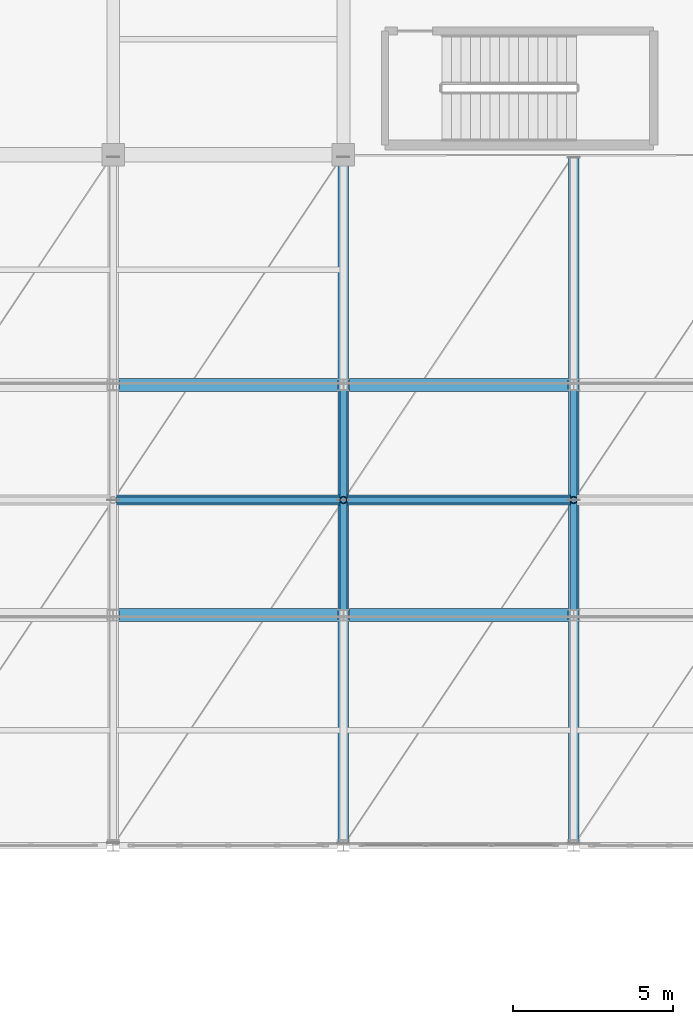
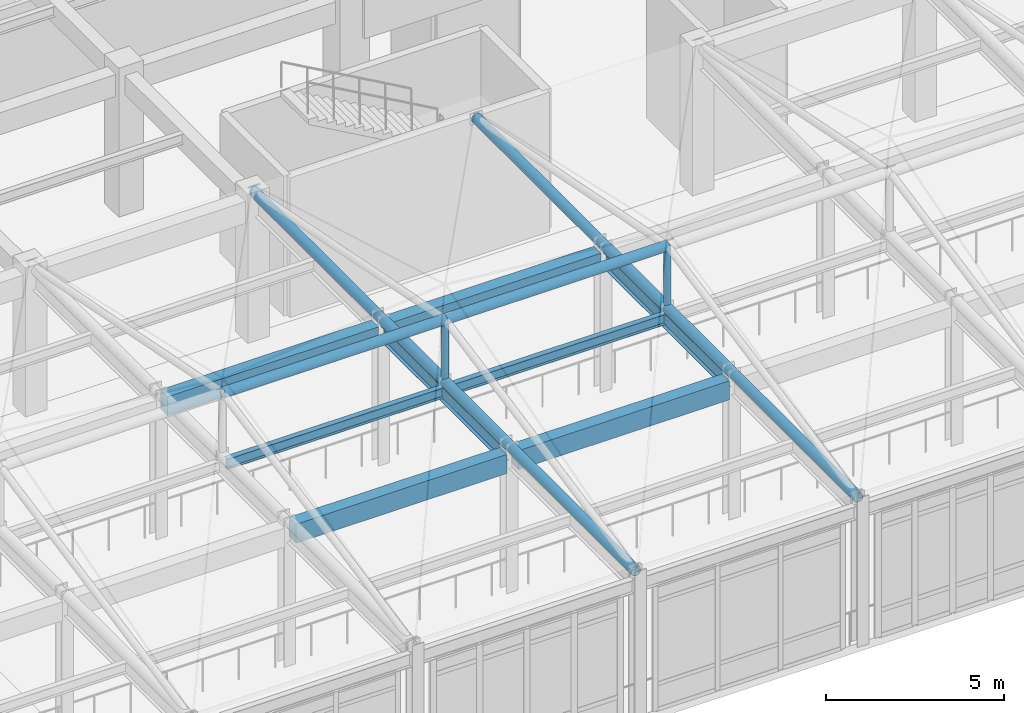
# One storey, part 40 of 117: 8 beams, 6 members.
"""IFC4 building model written with IfcOpenShell, lengths in metres."""

import ifcopenshell
import ifcopenshell.guid

model = None  # the IFC model being written
_history = None  # IfcOwnerHistory: only IFC2X3 demands one
_inside = {}  # id of a spatial element -> (the spatial element, [elements in it])
_under = {}  # id of a project, library or spatial element -> (it, [spatial elements below it])
_declared = {}  # id of a project -> (the project, [libraries it declares])
_typed = {}  # id of a type object -> (the type object, [elements of that type])
_made_of = {}  # id of a material, layer set ... -> (it, [elements and type objects made of it])


def new_model(schema):
    """Start an empty IFC model of exactly this schema.

    Asked for "IFC4X3", IfcOpenShell would pick the latest addendum, in which some entities
    have other attributes; the version numbers below select the first issue.
    IFC2X3 requires an IfcOwnerHistory on every rooted entity: one is made here for all.
    """
    global model, _history
    if schema == "IFC4X3":
        model = ifcopenshell.file(schema_version=(4, 3, 0, 0))
    else:
        model = ifcopenshell.file(schema=schema)
    _inside.clear()
    _under.clear()
    _declared.clear()
    _typed.clear()
    _made_of.clear()
    _history = None
    if model.schema == "IFC2X3":
        org = make("IfcOrganization", Name="unknown")
        user = make(
            "IfcPersonAndOrganization",
            ThePerson=make("IfcPerson", FamilyName="unknown"),
            TheOrganization=org,
        )
        app = make(
            "IfcApplication",
            ApplicationDeveloper=org,
            Version="unknown",
            ApplicationFullName="unknown",
            ApplicationIdentifier="unknown",
        )
        _history = make(
            "IfcOwnerHistory",
            OwningUser=user,
            OwningApplication=app,
            ChangeAction="ADDED",
            CreationDate=0,
        )
    return model


def make(cls, **values):
    """One entity of the class cls with the attributes given. An attribute that is None is left unset."""
    return model.create_entity(
        cls, **{name: value for name, value in values.items() if value is not None}
    )


def rooted(cls, **values):
    """An entity with a GlobalId (a new one), such as an element, a storey or a relation."""
    return make(cls, GlobalId=ifcopenshell.guid.new(), OwnerHistory=_history, **values)


def si_unit(unit_type, name, prefix=None):
    """IfcSIUnit, for example si_unit("LENGTHUNIT", "METRE", prefix="MILLI")."""
    return make("IfcSIUnit", UnitType=unit_type, Prefix=prefix, Name=name)


def assignment(units):
    """IfcUnitAssignment: the units of a project."""
    return None if units is None else make("IfcUnitAssignment", Units=units)


def point(xyz):
    """IfcCartesianPoint."""
    return None if xyz is None else make("IfcCartesianPoint", Coordinates=xyz)


def direction(xyz):
    """IfcDirection."""
    return None if xyz is None else make("IfcDirection", DirectionRatios=xyz)


def frame(location, z_axis=None, x_axis=None):
    """IfcAxis2Placement3D, a coordinate frame: its origin and axes. An axis left out is left unset."""
    return make(
        "IfcAxis2Placement3D",
        Location=point(location),
        Axis=direction(z_axis),
        RefDirection=direction(x_axis),
    )


def frame_2d(location, x_axis=None):
    """IfcAxis2Placement2D, a coordinate frame in the plane: its origin and x axis."""
    return make(
        "IfcAxis2Placement2D", Location=point(location), RefDirection=direction(x_axis)
    )


def origin():
    """The frame at (0, 0, 0) with its axes left unset."""
    return frame((0.0, 0.0, 0.0))


def origin_2d():
    """The frame at (0, 0) in the plane with its x axis left unset."""
    return frame_2d((0.0, 0.0))


def place(relative_to, where):
    """IfcLocalPlacement: puts the frame where relative to a parent placement (None: the world)."""
    return make(
        "IfcLocalPlacement", PlacementRelTo=relative_to, RelativePlacement=where
    )


def context(
    kind, dimensions, precision=None, world=None, true_north=None, identifier=None
):
    """IfcGeometricRepresentationContext, for example the 3D "Model" context."""
    return make(
        "IfcGeometricRepresentationContext",
        ContextIdentifier=identifier,
        ContextType=kind,
        CoordinateSpaceDimension=dimensions,
        Precision=precision,
        WorldCoordinateSystem=world,
        TrueNorth=true_north,
    )


def subcontext(parent, identifier, kind, view, scale=None):
    """IfcGeometricRepresentationSubContext, for example "Body" below "Model"."""
    return make(
        "IfcGeometricRepresentationSubContext",
        ContextIdentifier=identifier,
        ContextType=kind,
        ParentContext=parent,
        TargetScale=scale,
        TargetView=view,
    )


def project(units=None, contexts=None):
    """IfcProject with its units and contexts."""
    return rooted(
        "IfcProject",
        Name="project",
        RepresentationContexts=contexts,
        UnitsInContext=assignment(units),
    )


def spatial(cls, under=None, at=None, **own):
    """A site, building, storey or space (cls), placed at a placement, below another one or the project."""
    s = rooted(cls, ObjectPlacement=at, **own)
    if under is not None:
        _under.setdefault(under.id(), (under, []))[1].append(s)
    return s


def profile(cls, at=None, kind="AREA", **sizes):
    """A parametric profile (cls). Its sizes go by their IFC names, for example OverallWidth=200.0."""
    return make(cls, ProfileType=kind, Position=at, **sizes)


def rectangle(**sizes):
    """IfcRectangleProfileDef."""
    return profile("IfcRectangleProfileDef", **sizes)


def hollow_circle(**sizes):
    """IfcCircleHollowProfileDef."""
    return profile("IfcCircleHollowProfileDef", **sizes)


def i_section(**sizes):
    """IfcIShapeProfileDef."""
    return profile("IfcIShapeProfileDef", **sizes)


def extrude(swept, where, along, depth):
    """IfcExtrudedAreaSolid: the profile swept, set in the frame where, extruded along a direction by depth."""
    return make(
        "IfcExtrudedAreaSolid",
        SweptArea=swept,
        Position=where,
        ExtrudedDirection=direction(along),
        Depth=depth,
    )


def shape(context_of_items, identifier, shape_type, items):
    """IfcShapeRepresentation: the items that make up one representation, for example the "Body"."""
    return make(
        "IfcShapeRepresentation",
        ContextOfItems=context_of_items,
        RepresentationIdentifier=identifier,
        RepresentationType=shape_type,
        Items=items,
    )


def material(Name=None, Category=None):
    """IfcMaterial."""
    return make("IfcMaterial", Name=Name, Category=Category)


def material_profile(
    of_material, cross_section, Name=None, Category=None, Priority=None
):
    """IfcMaterialProfile: a cross section and its material."""
    return make(
        "IfcMaterialProfile",
        Name=Name,
        Material=of_material,
        Profile=cross_section,
        Priority=Priority,
        Category=Category,
    )


def profile_set(profiles, Name=None, composite=None):
    """IfcMaterialProfileSet."""
    return make(
        "IfcMaterialProfileSet",
        Name=Name,
        MaterialProfiles=profiles,
        CompositeProfile=composite,
    )


def made_of(thing, what):
    """Note that an element or type object is made of a material, layer set ...; save() writes the relation."""
    if what is not None:
        _made_of.setdefault(what.id(), (what, []))[1].append(thing)
    return thing


def type_object(cls, material=None, **own):
    """A type object (cls), such as IfcWallType, which elements share."""
    return made_of(rooted(cls, **own), material)


def element(
    cls,
    number,
    at=None,
    inside=None,
    cuts=None,
    type_object=None,
    material=None,
    context=None,
    identifier="Body",
    shape_type=None,
    held_by="IfcProductDefinitionShape",
    body=None,
    shapes=None,
    **own,
):
    """One element of the class cls, such as IfcWall. Its Tag is "e" and its number.

    at: its placement. inside: the storey or other place that contains it. cuts: it is an
    opening in that element (IfcRelVoidsElement). A single representation is given by context,
    identifier, shape_type and body (its items); several are given by shapes. held_by: the class
    of the entity that holds the representations. save() writes the other relations.
    """
    e = rooted(cls, Tag="e%d" % number, ObjectPlacement=at, **own)
    if body is not None:
        shapes = [shape(context, identifier, shape_type, body)]
    if shapes is not None:
        e.Representation = make(held_by, Representations=shapes)
    if inside is not None:
        _inside.setdefault(inside.id(), (inside, []))[1].append(e)
    if cuts is not None:
        rooted(
            "IfcRelVoidsElement", RelatingBuildingElement=cuts, RelatedOpeningElement=e
        )
    if type_object is not None:
        _typed.setdefault(type_object.id(), (type_object, []))[1].append(e)
    return made_of(e, material)


def aggregate(whole, parts):
    """IfcRelAggregates: a whole, such as a stair, and the parts it consists of."""
    return rooted("IfcRelAggregates", RelatingObject=whole, RelatedObjects=parts)


def save(model, path):
    """Write the relations noted so far, then the file.

    IfcRelAggregates (storeys below a building ...), IfcRelContainedInSpatialStructure (elements
    in a storey), IfcRelDefinesByType, IfcRelAssociatesMaterial and IfcRelDeclares: one each for
    every whole, place, type object, material and project.
    """
    for whole, parts in _under.values():
        aggregate(whole, parts)
    for where, things in _inside.values():
        rooted(
            "IfcRelContainedInSpatialStructure",
            RelatedElements=things,
            RelatingStructure=where,
        )
    for kind, things in _typed.values():
        rooted("IfcRelDefinesByType", RelatedObjects=things, RelatingType=kind)
    for what, things in _made_of.values():
        rooted("IfcRelAssociatesMaterial", RelatedObjects=things, RelatingMaterial=what)
    for by, libraries in _declared.values():
        rooted("IfcRelDeclares", RelatingContext=by, RelatedDefinitions=libraries)
    model.write(path)


model = new_model("IFC4")

# Units and contexts
model_context = context("Model", 3, precision=1e-05, world=origin(), true_north=direction((0.0, 1.0)))
body_context = subcontext(model_context, "Body", "Model", "MODEL_VIEW")
ifc_project = project(units=[si_unit("LENGTHUNIT", "METRE"), si_unit("AREAUNIT", "SQUARE_METRE"), si_unit("VOLUMEUNIT", "CUBIC_METRE"), si_unit("PLANEANGLEUNIT", "RADIAN"), si_unit("MASSUNIT", "GRAM", prefix="KILO")], contexts=[model_context])

# Site, building, storey
site_placement = place(None, origin())
site = spatial("IfcSite", under=ifc_project, at=site_placement, CompositionType="ELEMENT")
building_placement = place(site_placement, origin())
building = spatial("IfcBuilding", under=site, at=building_placement, Name="Carrowvane Square Congress Hotel", CompositionType="ELEMENT")
storey_placement = place(building_placement, frame((0.0, 0.0, 5.39990234375)))
storey = spatial("IfcBuildingStorey", under=building, at=storey_placement, Name="L01", CompositionType="ELEMENT", Elevation=5.39990234375)

# Beams
ifc_material_1 = material(Name="Concrete C35/45", Category="concrete")
ifc_material_profile_1 = material_profile(ifc_material_1, rectangle(XDim=0.39990234375, YDim=0.64990234375, at=origin_2d()), Name="RC 400x650")
ifc_profile_set_1 = profile_set([ifc_material_profile_1], Name="Concrete C35/45")
beam_type_1 = type_object("IfcBeamType", Name="BM-RC-400x650", PredefinedType="BEAM", material=ifc_profile_set_1)
for number, where, z_axis, x_axis, name in (
    (1, (90.9853515625, 77.39990234375, 4.455078125), (1.0, 0.0, 0.0), (0.0, 1.0, 0.0), "L02 girder L/12-13"),
    (2, (98.185302734375, 77.39990234375, 4.455078125), (1.0, 0.0, 0.0), (0.0, 1.0, 0.0), "L02 girder L/13-14"),
    (3, (90.9853515625, 84.60009765625, 4.455078125), (1.0, 0.0, 0.0), (0.0, 1.0, 0.0), "L02 girder M/12-13"),
    (4, (98.185302734375, 84.60009765625, 4.455078125), (1.0, 0.0, 0.0), (0.0, 1.0, 0.0), "L02 girder M/13-14"),
):
    element("IfcBeam", number, at=place(storey_placement, frame(where, z_axis=z_axis, x_axis=x_axis)), inside=storey, type_object=beam_type_1, Name=name, PredefinedType="BEAM", context=body_context, shape_type="SweptSolid", body=[
        extrude(rectangle(XDim=0.39990234375, YDim=0.64990234375, at=origin_2d()), origin(), (0.0, 0.0, 1.0), 6.829345703125),
    ])
ifc_material_2 = material(Name="Steel S355", Category="steel")
ifc_material_profile_2 = material_profile(ifc_material_2, i_section(OverallWidth=0.172119140625, OverallDepth=0.35791015625, WebThickness=0.008056640625, FlangeThickness=0.012939453125, FilletRadius=0.01025390625, at=origin_2d()), Name="UKB 356x171x57")
ifc_profile_set_2 = profile_set([ifc_material_profile_2], Name="Steel S355")
beam_type_2 = type_object("IfcBeamType", Name="BM-ST-UKB356", PredefinedType="JOIST", material=ifc_profile_set_2)
for number, where, z_axis, x_axis, name in (
    (5, (90.905029296875, 81.0, 4.60107421875), (1.0, 0.0, 0.0), (0.0, 1.0, 0.0), "L02 secondary joist 12-13"),
    (6, (98.10498046875, 81.0, 4.60107421875), (1.0, 0.0, 0.0), (0.0, 1.0, 0.0), "L02 secondary joist 13-14"),
):
    element("IfcBeam", number, at=place(storey_placement, frame(where, z_axis=z_axis, x_axis=x_axis)), inside=storey, type_object=beam_type_2, Name=name, PredefinedType="JOIST", context=body_context, shape_type="SweptSolid", body=[
        extrude(i_section(OverallWidth=0.172119140625, OverallDepth=0.35791015625, WebThickness=0.008056640625, FlangeThickness=0.012939453125, FilletRadius=0.01025390625, at=origin_2d()), origin(), (0.0, 0.0, 1.0), 6.989990234375),
    ])
ifc_material_3 = material(Name="Steel S355", Category="steel")
ifc_material_profile_3 = material_profile(ifc_material_3, i_section(OverallWidth=0.2099609375, OverallDepth=0.53662109375, WebThickness=0.0107421875, FlangeThickness=0.017333984375, FilletRadius=0.0126953125, at=origin_2d()), Name="UKB 533x210x101")
ifc_profile_set_3 = profile_set([ifc_material_profile_3], Name="Steel S355")
beam_type_3 = type_object("IfcBeamType", Name="BM-ST-UKB533", PredefinedType="USERDEFINED", material=ifc_profile_set_3)
for number, where, z_axis, x_axis, name in (
    (7, (98.0, 77.5810546875, 4.51171875), (0.0, 1.0, 0.0), (-1.0, 0.0, 0.0), "L02 girder 13/L-M"),
    (8, (105.199951171875, 77.5810546875, 4.51171875), (0.0, 1.0, 0.0), (-1.0, 0.0, 0.0), "L02 girder 14/L-M"),
):
    element("IfcBeam", number, at=place(storey_placement, frame(where, z_axis=z_axis, x_axis=x_axis)), inside=storey, type_object=beam_type_3, Name=name, ObjectType="GIRDER", PredefinedType="USERDEFINED", context=body_context, shape_type="SweptSolid", body=[
        extrude(i_section(OverallWidth=0.2099609375, OverallDepth=0.53662109375, WebThickness=0.0107421875, FlangeThickness=0.017333984375, FilletRadius=0.0126953125, at=origin_2d()), origin(), (0.0, 0.0, 1.0), 6.837890625),
    ])

# Members
ifc_material_4 = material(Name="Steel S355", Category="steel")
ifc_material_profile_4 = material_profile(ifc_material_4, hollow_circle(Radius=0.109619140625, WallThickness=0.012451171875, at=origin_2d()), Name="CHS 219.1x12.5")
ifc_profile_set_4 = profile_set([ifc_material_profile_4], Name="Steel S355")
member_type_1 = type_object("IfcMemberType", Name="MEM-ST-CHS219", PredefinedType="STRUT", material=ifc_profile_set_4)
for number, where, z_axis, x_axis, name in (
    (9, (98.0, 81.0, 4.920166015625), (0.0, 0.0, 1.0), (1.0, 0.0, 0.0), "Public passage canopy king post 4"),
    (10, (105.199951171875, 81.0, 4.920166015625), (0.0, 0.0, 1.0), (1.0, 0.0, 0.0), "Public passage canopy king post 5"),
):
    element("IfcMember", number, at=place(storey_placement, frame(where, z_axis=z_axis, x_axis=x_axis)), inside=storey, type_object=member_type_1, Name=name, PredefinedType="STRUT", context=body_context, shape_type="SweptSolid", body=[
        extrude(hollow_circle(Radius=0.109619140625, WallThickness=0.012451171875, at=origin_2d()), origin(), (0.0, 0.0, 1.0), 2.12548828125),
    ])
ifc_material_5 = material(Name="Steel S355", Category="steel")
ifc_material_profile_5 = material_profile(ifc_material_5, hollow_circle(Radius=0.161865234375, WallThickness=0.01611328125, at=origin_2d()), Name="CHS 323.9x16")
ifc_profile_set_5 = profile_set([ifc_material_profile_5], Name="Steel S355")
member_type_2 = type_object("IfcMemberType", Name="MEM-TC-CHS324", PredefinedType="CHORD", material=ifc_profile_set_5)
for number, where, z_axis, x_axis, name in (
    (11, (90.800048828125, 81.0, 7.045654296875), (1.0, 0.0, 0.0), (0.0, 1.0, 0.0), "Public passage ridge chord 4"),
    (12, (98.0, 81.0, 7.045654296875), (1.0, 0.0, 0.0), (0.0, 1.0, 0.0), "Public passage ridge chord 5"),
):
    element("IfcMember", number, at=place(storey_placement, frame(where, z_axis=z_axis, x_axis=x_axis)), inside=storey, type_object=member_type_2, Name=name, PredefinedType="CHORD", context=body_context, shape_type="SweptSolid", body=[
        extrude(hollow_circle(Radius=0.161865234375, WallThickness=0.01611328125, at=origin_2d()), origin(), (0.0, 0.0, 1.0), 7.199951171875),
    ])
for number, where, z_axis, x_axis, name in (
    (13, (98.0, 70.280029296875, 4.920166015625), (0.0, 1.0, 0.0), (-1.0, 0.0, 0.0), "Public passage canopy tie chord 4"),
    (14, (105.199951171875, 70.280029296875, 4.920166015625), (0.0, 1.0, 0.0), (-1.0, 0.0, 0.0), "Public passage canopy tie chord 5"),
):
    element("IfcMember", number, at=place(storey_placement, frame(where, z_axis=z_axis, x_axis=x_axis)), inside=storey, type_object=member_type_2, Name=name, PredefinedType="CHORD", context=body_context, shape_type="SweptSolid", body=[
        extrude(hollow_circle(Radius=0.161865234375, WallThickness=0.01611328125, at=origin_2d()), origin(), (0.0, 0.0, 1.0), 21.43994140625),
    ])

save(model, "model.ifc")
